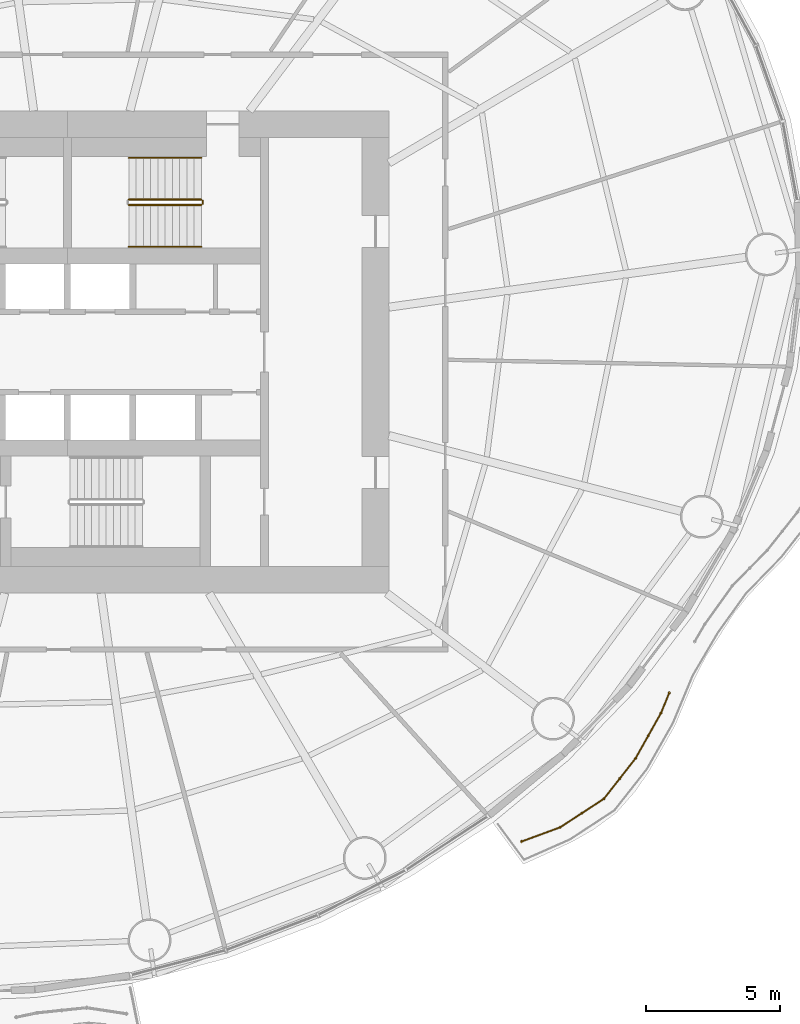
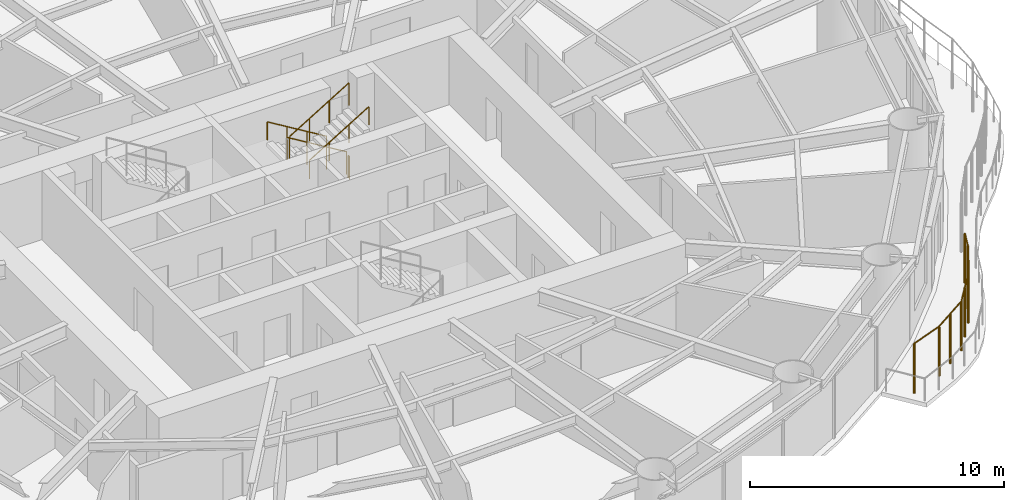
# One storey, part 13 of 15: 6 railings.
"""IFC4 building model written with IfcOpenShell, lengths in metres."""

from ifc_helpers import new_model, si_unit, direction, frame, origin, origin_2d, place, context, subcontext, project, spatial, circle, extrude, material, type_object, element, save


model = new_model("IFC4")

# Units and contexts
model_context = context("Model", 3, precision=1e-05, world=origin(), true_north=direction((0.0, 1.0)))
body_context = subcontext(model_context, "Body", "Model", "MODEL_VIEW")
ifc_project = project(units=[si_unit("LENGTHUNIT", "METRE"), si_unit("AREAUNIT", "SQUARE_METRE"), si_unit("VOLUMEUNIT", "CUBIC_METRE"), si_unit("PLANEANGLEUNIT", "RADIAN"), si_unit("MASSUNIT", "GRAM", prefix="KILO")], contexts=[model_context])

# Site, building, storey
site_placement = place(None, origin())
site = spatial("IfcSite", under=ifc_project, at=site_placement, CompositionType="ELEMENT")
building_placement = place(site_placement, origin())
building = spatial("IfcBuilding", under=site, at=building_placement, Name="Vermilion Reach Broadcast Tower", CompositionType="ELEMENT")
storey_placement = place(building_placement, frame((0.0, 0.0, 128.199951171875)))
storey = spatial("IfcBuildingStorey", under=building, at=storey_placement, Name="L30", CompositionType="ELEMENT", Elevation=128.199951171875)

# Railings
ifc_material_1 = material(Name="Terracotta baguette", Category="masonry")
railing_type_1 = type_object("IfcRailingType", Name="BAGUETTE SCREEN", PredefinedType="USERDEFINED", material=ifc_material_1)
railing_1_placement = place(storey_placement, frame((10.950927734375, -18.2666015625, 0.0)))
element("IfcRailing", 1, at=railing_1_placement, inside=storey, type_object=railing_type_1, Name="Baguette screen L30 group 4 part 1", ObjectType="BAGUETTE SCREEN", PredefinedType="USERDEFINED", context=body_context, shape_type="SweptSolid", body=[
    extrude(circle(Radius=0.030029296875, at=origin_2d()), frame((0.0, 0.0, 2.369873046875), z_axis=(0.938563368381, 0.345106945066, 0.0), x_axis=(-0.345106945066, 0.938563368381, 0.0)), (0.0, 0.0, 1.0), 1.531494140625),
    extrude(circle(Radius=0.030029296875, at=origin_2d()), frame((1.4375, 0.528564453125, 2.369873046875), z_axis=(0.837707720892, 0.546118828057, 0.0), x_axis=(-0.546118828057, 0.837707720892, 0.0)), (0.0, 0.0, 1.0), 1.949951171875),
    extrude(circle(Radius=0.030029296875, at=origin_2d()), frame((3.071044921875, 1.593505859375, 2.369873046875), z_axis=(0.61629797204, 0.787513053643, 0.0), x_axis=(-0.787513053643, 0.61629797204, 0.0)), (0.0, 0.0, 1.0), 1.919189453125),
    extrude(circle(Radius=0.030029296875, at=origin_2d()), frame((4.25390625, 3.10498046875, 2.369873046875), z_axis=(0.489578496428, 0.87195922831, 0.0), x_axis=(-0.87195922831, 0.489578496428, 0.0)), (0.0, 0.0, 1.0), 1.935791015625),
    extrude(circle(Radius=0.030029296875, at=origin_2d()), frame((5.20166015625, 4.79296875, 2.369873046875), z_axis=(0.379964712407, 0.925000982337, 0.0), x_axis=(-0.925000982337, 0.379964712407, 0.0)), (0.0, 0.0, 1.0), 0.8134765625),
    extrude(circle(Radius=0.050048828125, at=origin_2d()), origin(), (0.0, 0.0, 1.0), 2.33984375),
    extrude(circle(Radius=0.050048828125, at=origin_2d()), frame((1.4375, 0.528564453125, 0.0)), (0.0, 0.0, 1.0), 2.33984375),
    extrude(circle(Radius=0.050048828125, at=origin_2d()), frame((2.25439453125, 1.06103515625, 0.0)), (0.0, 0.0, 1.0), 2.33984375),
    extrude(circle(Radius=0.050048828125, at=origin_2d()), frame((3.071044921875, 1.593505859375, 0.0)), (0.0, 0.0, 1.0), 2.33984375),
    extrude(circle(Radius=0.050048828125, at=origin_2d()), frame((3.66259765625, 2.34912109375, 0.0)), (0.0, 0.0, 1.0), 2.33984375),
    extrude(circle(Radius=0.050048828125, at=origin_2d()), frame((4.25390625, 3.10498046875, 0.0)), (0.0, 0.0, 1.0), 2.33984375),
    extrude(circle(Radius=0.050048828125, at=origin_2d()), frame((4.727783203125, 3.948974609375, 0.0)), (0.0, 0.0, 1.0), 2.33984375),
    extrude(circle(Radius=0.050048828125, at=origin_2d()), frame((5.20166015625, 4.79296875, 0.0)), (0.0, 0.0, 1.0), 2.33984375),
    extrude(circle(Radius=0.050048828125, at=origin_2d()), frame((5.5107421875, 5.54541015625, 0.0)), (0.0, 0.0, 1.0), 2.33984375),
])
ifc_material_2 = material(Name="Stainless steel", Category="steel")
railing_type_2 = type_object("IfcRailingType", Name="Stair guard 1100", PredefinedType="GUARDRAIL", material=ifc_material_2)
railing_2_placement = place(storey_placement, frame((-1.0, 5.68994140625, 0.16357421875)))
element("IfcRailing", 2, at=railing_2_placement, inside=storey, type_object=railing_type_2, Name="L30 ST2 stair guard 1", PredefinedType="GUARDRAIL", context=body_context, shape_type="SweptSolid", body=[
    extrude(circle(Radius=0.02392578125, at=origin_2d()), frame((0.0, 0.0, 1.076171875), z_axis=(-0.855178096276, 0.0, 0.518334277904), x_axis=(0.0, -1.0, 0.0)), (0.0, 0.0, 1.0), 3.1572265625),
    extrude(circle(Radius=0.02099609375, at=origin_2d()), origin(), (0.0, 0.0, 1.0), 1.052001953125),
    extrude(circle(Radius=0.02099609375, at=origin_2d()), frame((-0.89990234375, 0.0, 0.54541015625)), (0.0, 0.0, 1.0), 1.052001953125),
    extrude(circle(Radius=0.02099609375, at=origin_2d()), frame((-1.800048828125, 0.0, 1.091064453125)), (0.0, 0.0, 1.0), 1.052001953125),
    extrude(circle(Radius=0.02099609375, at=origin_2d()), frame((-2.699951171875, 0.0, 1.636474609375)), (0.0, 0.0, 1.0), 1.052001953125),
])
railing_3_placement = place(storey_placement, frame((-3.699951171875, 5.489990234375, 1.963623046875)))
element("IfcRailing", 3, at=railing_3_placement, inside=storey, type_object=railing_type_2, Name="L30 ST2 stair guard 3", PredefinedType="GUARDRAIL", context=body_context, shape_type="SweptSolid", body=[
    extrude(circle(Radius=0.02392578125, at=origin_2d()), frame((0.0, 0.0, 1.076171875), z_axis=(0.855178096276, 0.0, 0.518334277904), x_axis=(0.0, 1.0, 0.0)), (0.0, 0.0, 1.0), 3.1572265625),
    extrude(circle(Radius=0.02099609375, at=origin_2d()), origin(), (0.0, 0.0, 1.0), 1.052001953125),
    extrude(circle(Radius=0.02099609375, at=origin_2d()), frame((0.89990234375, 0.0, 0.54541015625)), (0.0, 0.0, 1.0), 1.052001953125),
    extrude(circle(Radius=0.02099609375, at=origin_2d()), frame((1.800048828125, 0.0, 1.091064453125)), (0.0, 0.0, 1.0), 1.052001953125),
    extrude(circle(Radius=0.02099609375, at=origin_2d()), frame((2.699951171875, 0.0, 1.636474609375)), (0.0, 0.0, 1.0), 1.052001953125),
])
railing_4_placement = place(storey_placement, frame((-0.949951171875, 5.639892578125, 0.0)))
element("IfcRailing", 4, at=railing_4_placement, inside=storey, type_object=railing_type_2, Name="L30 ST2 stair guard 4", PredefinedType="GUARDRAIL", context=body_context, shape_type="SweptSolid", body=[
    extrude(circle(Radius=0.02392578125, at=origin_2d()), frame((0.0, 0.0, 1.076171875), z_axis=(0.0, -1.0, 0.0), x_axis=(1.0, 0.0, 0.0)), (0.0, 0.0, 1.0), 0.099853515625),
    extrude(circle(Radius=0.02099609375, at=origin_2d()), origin(), (0.0, 0.0, 1.0), 1.052001953125),
    extrude(circle(Radius=0.02099609375, at=origin_2d()), frame((0.0, -0.099853515625, 0.0)), (0.0, 0.0, 1.0), 1.052001953125),
])
ifc_material_3 = material(Name="Stainless steel", Category="steel")
railing_type_3 = type_object("IfcRailingType", Name="Stair handrail", PredefinedType="HANDRAIL", material=ifc_material_3)
railing_5_placement = place(storey_placement, frame((-1.0, 7.25, 0.16357421875)))
element("IfcRailing", 5, at=railing_5_placement, inside=storey, type_object=railing_type_3, Name="L30 ST2 stair handrail 1", PredefinedType="HANDRAIL", context=body_context, shape_type="SweptSolid", body=[
    extrude(circle(Radius=0.02392578125, at=origin_2d()), frame((0.0, 0.0, 0.8759765625), z_axis=(-0.855178096276, 0.0, 0.518334277904), x_axis=(0.0, -1.0, 0.0)), (0.0, 0.0, 1.0), 3.1572265625),
    extrude(circle(Radius=0.02099609375, at=origin_2d()), origin(), (0.0, 0.0, 1.0), 0.851806640625),
    extrude(circle(Radius=0.02099609375, at=origin_2d()), frame((-0.89990234375, 0.0, 0.54541015625)), (0.0, 0.0, 1.0), 0.851806640625),
    extrude(circle(Radius=0.02099609375, at=origin_2d()), frame((-1.800048828125, 0.0, 1.091064453125)), (0.0, 0.0, 1.0), 0.851806640625),
    extrude(circle(Radius=0.02099609375, at=origin_2d()), frame((-2.699951171875, 0.0, 1.636474609375)), (0.0, 0.0, 1.0), 0.851806640625),
])
railing_6_placement = place(storey_placement, frame((-3.699951171875, 3.929931640625, 1.963623046875)))
element("IfcRailing", 6, at=railing_6_placement, inside=storey, type_object=railing_type_3, Name="L30 ST2 stair handrail 2", PredefinedType="HANDRAIL", context=body_context, shape_type="SweptSolid", body=[
    extrude(circle(Radius=0.02392578125, at=origin_2d()), frame((0.0, 0.0, 0.8759765625), z_axis=(0.855178096276, 0.0, 0.518334277904), x_axis=(0.0, 1.0, 0.0)), (0.0, 0.0, 1.0), 3.1572265625),
    extrude(circle(Radius=0.02099609375, at=origin_2d()), origin(), (0.0, 0.0, 1.0), 0.851806640625),
    extrude(circle(Radius=0.02099609375, at=origin_2d()), frame((0.89990234375, 0.0, 0.54541015625)), (0.0, 0.0, 1.0), 0.851806640625),
    extrude(circle(Radius=0.02099609375, at=origin_2d()), frame((1.800048828125, 0.0, 1.091064453125)), (0.0, 0.0, 1.0), 0.851806640625),
    extrude(circle(Radius=0.02099609375, at=origin_2d()), frame((2.699951171875, 0.0, 1.636474609375)), (0.0, 0.0, 1.0), 0.851806640625),
])

save(model, "model.ifc")
